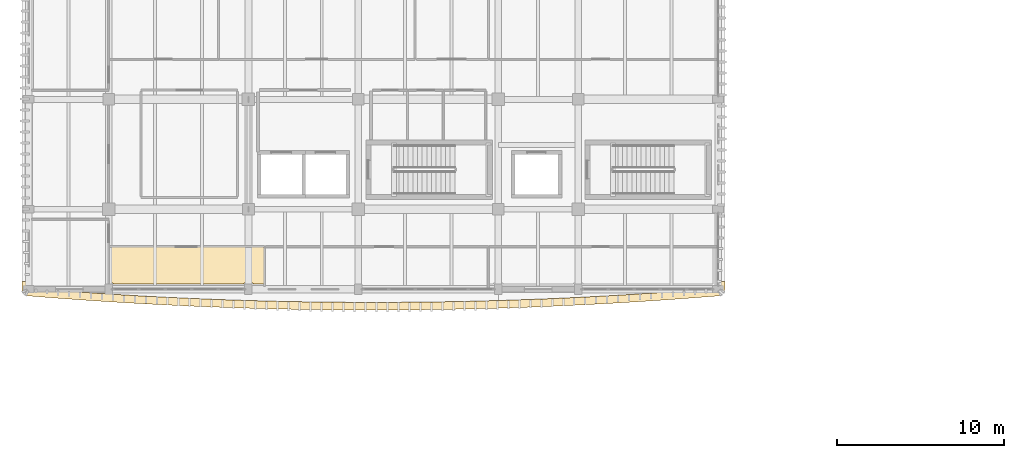
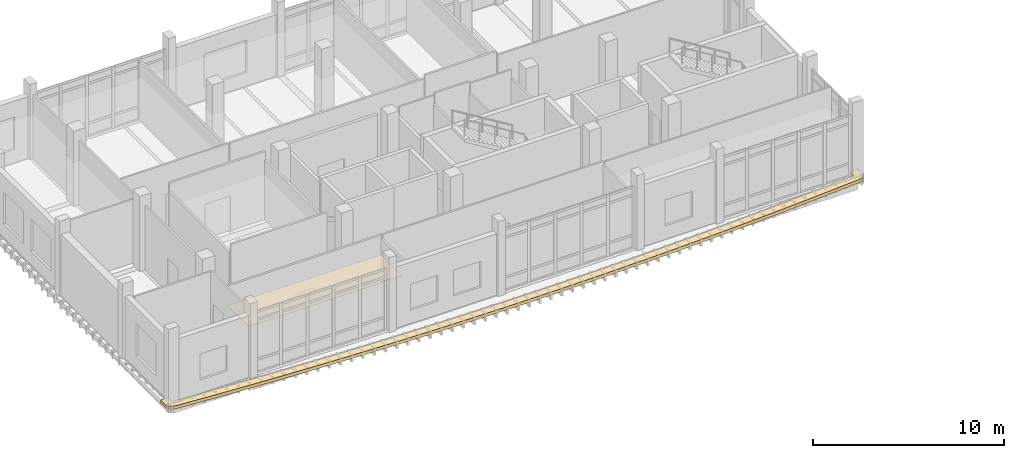
# One storey, part 27 of 39: 2 coverings.
"""IFC4 building model written with IfcOpenShell, lengths in metres."""

from ifc_helpers import new_model, si_unit, direction, frame, origin, place, context, subcontext, project, spatial, polyline, outline, extrude, material, layer, layer_set, type_object, element, save


model = new_model("IFC4")

# Units and contexts
model_context = context("Model", 3, precision=1e-05, world=origin(), true_north=direction((0.0, 1.0)))
body_context = subcontext(model_context, "Body", "Model", "MODEL_VIEW")
ifc_project = project(units=[si_unit("LENGTHUNIT", "METRE"), si_unit("AREAUNIT", "SQUARE_METRE"), si_unit("VOLUMEUNIT", "CUBIC_METRE"), si_unit("PLANEANGLEUNIT", "RADIAN"), si_unit("MASSUNIT", "GRAM", prefix="KILO")], contexts=[model_context])

# Site, building, storey
site_placement = place(None, origin())
site = spatial("IfcSite", under=ifc_project, at=site_placement, CompositionType="ELEMENT")
building_placement = place(site_placement, origin())
building = spatial("IfcBuilding", under=site, at=building_placement, Name="Dornvale Research Institute", CompositionType="ELEMENT")
storey_placement = place(building_placement, frame((0.0, 0.0, 24.60009765625)))
storey = spatial("IfcBuildingStorey", under=building, at=storey_placement, Name="L05", CompositionType="ELEMENT", Elevation=24.60009765625)

# Coverings
ifc_material_1 = material(Name="Mineral-Fibre Acoustic Lay-In Ceiling Tile System")
ifc_layer_1 = layer(ifc_material_1, 0.02001953125)
ifc_layer_set_1 = layer_set([ifc_layer_1], Name="Mineral-Fibre Acoustic Lay-In Ceiling Tile System")
covering_type_1 = type_object("IfcCoveringType", Name="Covering_Acoustic_Ceiling", PredefinedType="CEILING", material=ifc_layer_set_1)
covering_1_placement = place(storey_placement, frame((0.0, 0.0, 2.849853515625)))
element("IfcCovering", 1, at=covering_1_placement, inside=storey, type_object=covering_type_1, Name="L05 Computational Neuroscience Laboratory suspended ceiling", PredefinedType="CEILING", context=body_context, shape_type="SweptSolid", body=[
    extrude(outline(polyline([(14.1298828125, 101.530029296875), (14.1298828125, 99.300048828125), (13.47509765625, 99.300048828125), (13.47509765625, 99.375), (12.925048828125, 99.375), (12.925048828125, 99.300048828125), (5.074951171875, 99.300048828125), (5.074951171875, 99.375), (4.820068359375, 99.375), (4.820068359375, 101.530029296875), (14.1298828125, 101.530029296875)])), origin(), (0.0, 0.0, 1.0), 0.02001953125),
])
ifc_material_2 = material(Name="Polychrome Glazed Terracotta Visor Rib Ceramic", Category="masonry")
ifc_layer_2 = layer(ifc_material_2, 0.199951171875)
ifc_layer_set_2 = layer_set([ifc_layer_2], Name="Polychrome Glazed Terracotta Visor Rib Ceramic")
covering_type_2 = type_object("IfcCoveringType", Name="Covering_VisorBrim_Shelf", PredefinedType="CLADDING", material=ifc_layer_set_2)
covering_2_placement = place(storey_placement, frame((0.0, 0.0, -0.280029296875)))
element("IfcCovering", 2, at=covering_2_placement, inside=storey, type_object=covering_type_2, Name="L05 V5 canted bowed-brim visor hood #21", PredefinedType="CLADDING", context=body_context, shape_type="SweptSolid", body=[
    extrude(outline(polyline([(41.80322265625, 99.0), (41.775390625, 98.85302734375), (41.696044921875, 98.726318359375), (41.575927734375, 98.63720703125), (41.431640625, 98.597900390625), (39.775634765625, 98.46728515625), (39.77294921875, 98.46728515625), (38.116943359375, 98.34765625), (38.114501953125, 98.347412109375), (36.45849609375, 98.23876953125), (36.455810546875, 98.238525390625), (34.7998046875, 98.140380859375), (34.797119140625, 98.140380859375), (33.14111328125, 98.053466796875), (33.138427734375, 98.05322265625), (31.482421875, 97.97705078125), (31.47998046875, 97.976806640625), (29.823974609375, 97.91162109375), (29.8212890625, 97.91162109375), (28.165283203125, 97.857177734375), (28.16259765625, 97.857177734375), (26.506591796875, 97.8134765625), (26.50390625, 97.8134765625), (24.847900390625, 97.781005859375), (24.84521484375, 97.78076171875), (23.189208984375, 97.759033203125), (23.1865234375, 97.759033203125), (21.530517578125, 97.748291015625), (21.528076171875, 97.748291015625), (19.8720703125, 97.748291015625), (19.869384765625, 97.748291015625), (18.21337890625, 97.759033203125), (18.210693359375, 97.759033203125), (16.5546875, 97.78076171875), (16.552001953125, 97.781005859375), (14.89599609375, 97.8134765625), (14.893310546875, 97.8134765625), (13.2373046875, 97.857177734375), (13.23486328125, 97.857177734375), (11.578857421875, 97.91162109375), (11.576171875, 97.91162109375), (9.920166015625, 97.976806640625), (9.91748046875, 97.97705078125), (8.261474609375, 98.05322265625), (8.2587890625, 98.053466796875), (6.602783203125, 98.140380859375), (6.60009765625, 98.140380859375), (4.944091796875, 98.238525390625), (4.941650390625, 98.23876953125), (3.28564453125, 98.347412109375), (3.282958984375, 98.34765625), (1.626953125, 98.46728515625), (1.624267578125, 98.46728515625), (-0.03173828125, 98.597900390625), (-0.176025390625, 98.63720703125), (-0.296142578125, 98.726318359375), (-0.37548828125, 98.85302734375), (-0.4033203125, 99.0), (-0.4033203125, 99.449951171875), (0.06005859375, 99.449951171875), (0.06005859375, 99.055419921875), (1.660400390625, 98.92919921875), (3.316162109375, 98.809814453125), (4.9716796875, 98.700927734375), (6.627197265625, 98.602783203125), (8.282958984375, 98.515869140625), (9.938720703125, 98.439697265625), (11.59423828125, 98.37451171875), (13.249755859375, 98.3203125), (14.905517578125, 98.276611328125), (16.56103515625, 98.243896484375), (18.216552734375, 98.22216796875), (19.872314453125, 98.21142578125), (21.52783203125, 98.21142578125), (23.183349609375, 98.22216796875), (24.839111328125, 98.243896484375), (26.49462890625, 98.276611328125), (28.150146484375, 98.3203125), (29.805908203125, 98.37451171875), (31.46142578125, 98.439697265625), (33.116943359375, 98.515869140625), (34.772705078125, 98.602783203125), (36.42822265625, 98.700927734375), (38.083984375, 98.809814453125), (39.739501953125, 98.92919921875), (41.340087890625, 99.055419921875), (41.340087890625, 99.449951171875), (41.80322265625, 99.449951171875), (41.80322265625, 99.0)])), origin(), (0.0, 0.0, 1.0), 0.199951171875),
])

save(model, "model.ifc")
